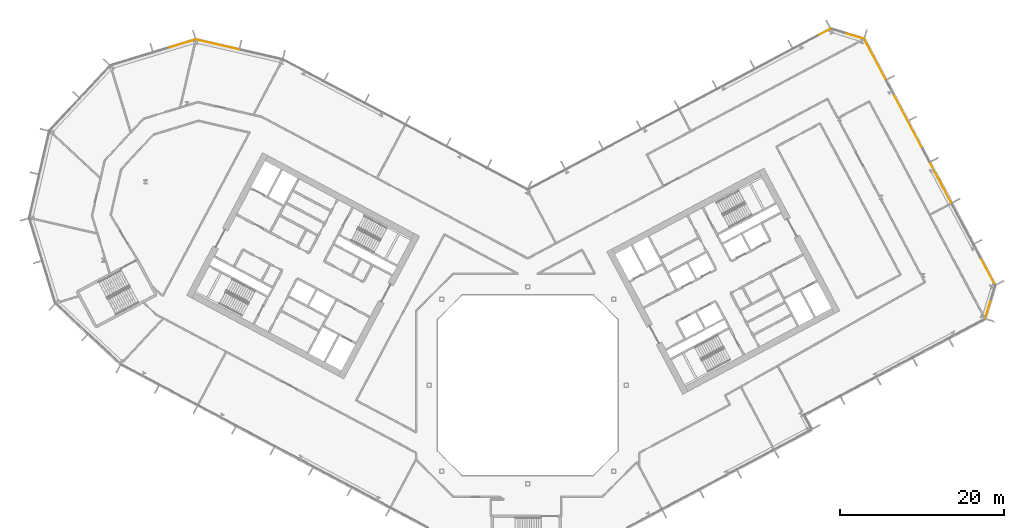
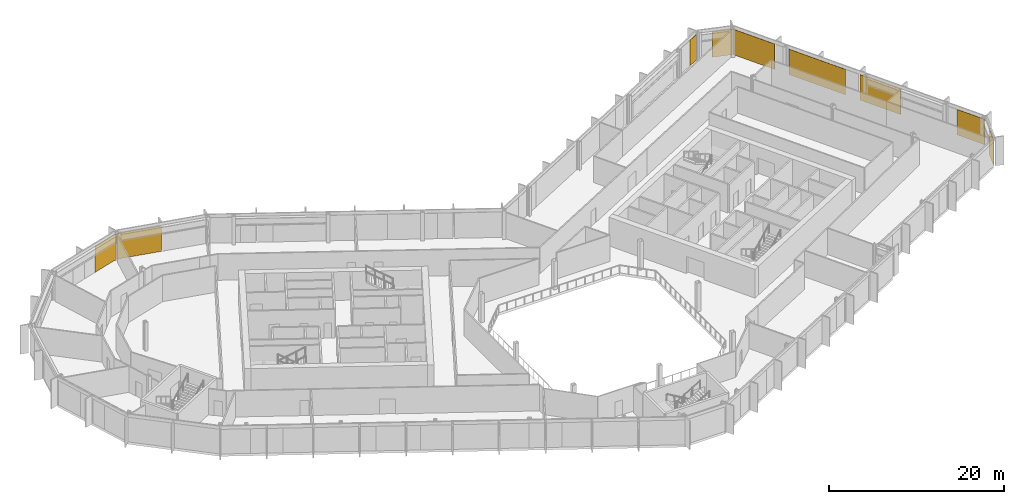
# One storey, part 28 of 28: 9 coverings, 6 elements without a shape of their own.
"""IFC4 building model written with IfcOpenShell, lengths in metres."""

from ifc_helpers import new_model, si_unit, direction, frame, origin, origin_2d, place, context, subcontext, project, spatial, rectangle, extrude, material, layer, layer_set, type_object, element, aggregate, save


model = new_model("IFC4")

# Units and contexts
model_context = context("Model", 3, precision=1e-05, world=origin(), true_north=direction((0.0, 1.0)))
body_context = subcontext(model_context, "Body", "Model", "MODEL_VIEW")
ifc_project = project(units=[si_unit("LENGTHUNIT", "METRE"), si_unit("AREAUNIT", "SQUARE_METRE"), si_unit("VOLUMEUNIT", "CUBIC_METRE"), si_unit("PLANEANGLEUNIT", "RADIAN"), si_unit("MASSUNIT", "GRAM", prefix="KILO")], contexts=[model_context])

# Site, building, storey
site_placement = place(None, origin())
site = spatial("IfcSite", under=ifc_project, at=site_placement, CompositionType="ELEMENT")
building_placement = place(site_placement, origin())
building = spatial("IfcBuilding", under=site, at=building_placement, Name="Cormorant Relay Tower", CompositionType="ELEMENT")
storey_placement = place(building_placement, frame((0.0, 0.0, 146.199951171875)))
storey = spatial("IfcBuildingStorey", under=building, at=storey_placement, Name="L30", CompositionType="ELEMENT", Elevation=146.199951171875)

# Curtain wall, covering
ifc_material_1 = material(Name="Aluminium 6063-T6 anodised bronze", Category="aluminium")
ifc_layer_1 = layer(ifc_material_1, 0.199951171875)
ifc_layer_set_1 = layer_set([ifc_layer_1], Name="CW1 unitised bronze curtain wall with vertical fins")
curtain_wall_type = type_object("IfcCurtainWallType", Name="CW1 unitised bronze curtain wall with vertical fins", PredefinedType="NOTDEFINED", material=ifc_layer_set_1)
curtain_wall_1_placement = place(storey_placement, origin())
curtain_wall_1 = element("IfcCurtainWall", 1, at=curtain_wall_1_placement, inside=storey, type_object=curtain_wall_type, Name="CW1 curtain wall 5", PredefinedType="NOTDEFINED")
ifc_material_2 = material(Name="Pale bronze anodised aluminium insulated panel", Category="aluminium")
ifc_layer_2 = layer(ifc_material_2, 0.0400390625)
ifc_layer_set_2 = layer_set([ifc_layer_2], Name="CW1 pale bronze insulated panel 40")
covering_type = type_object("IfcCoveringType", Name="CW1 pale bronze insulated panel 40", PredefinedType="CLADDING", material=ifc_layer_set_2)
covering_1_placement = place(storey_placement, frame((56.103515625, 9.303955078125, 0.0), z_axis=(0.0, 0.0, 1.0), x_axis=(0.292371704723, 0.956304755963, 0.0)))
covering_1 = element("IfcCovering", 2, at=covering_1_placement, type_object=covering_type, Name="CW1 panel S00", PredefinedType="CLADDING", context=body_context, shape_type="SweptSolid", body=[
    extrude(rectangle(XDim=2.36767578125, YDim=0.0400390625, at=origin_2d()), origin(), (0.0, 0.0, 1.0), 3.550048828125),
])
aggregate(curtain_wall_1, [covering_1])

# Curtain wall, coverings
curtain_wall_2_placement = place(storey_placement, origin())
curtain_wall_2 = element("IfcCurtainWall", 3, at=curtain_wall_2_placement, inside=storey, type_object=curtain_wall_type, Name="CW1 curtain wall 6", PredefinedType="NOTDEFINED")
covering_2_placement = place(storey_placement, frame((56.066650390625, 13.879638671875, 0.0), z_axis=(0.0, 0.0, 1.0), x_axis=(-0.469471562786, 0.882947592859, 0.0)))
covering_2 = element("IfcCovering", 4, at=covering_2_placement, type_object=covering_type, Name="CW1 panel S00", PredefinedType="CLADDING", context=body_context, shape_type="SweptSolid", body=[
    extrude(rectangle(XDim=3.716796875, YDim=0.0400390625, at=origin_2d()), origin(), (0.0, 0.0, 1.0), 3.550048828125),
])
covering_3_placement = place(storey_placement, frame((50.323486328125, 24.68115234375, 0.0), z_axis=(0.0, 0.0, 1.0), x_axis=(-0.469471562786, 0.882947592859, 0.0)))
covering_3 = element("IfcCovering", 5, at=covering_3_placement, type_object=covering_type, Name="CW1 panel S03", PredefinedType="CLADDING", context=body_context, shape_type="SweptSolid", body=[
    extrude(rectangle(XDim=5.5166015625, YDim=0.0400390625, at=origin_2d()), origin(), (0.0, 0.0, 1.0), 3.550048828125),
])
covering_4_placement = place(storey_placement, frame((46.3330078125, 32.18603515625, 0.0), z_axis=(0.0, 0.0, 1.0), x_axis=(-0.469471562786, 0.882947592859, 0.0)))
covering_4 = element("IfcCovering", 6, at=covering_4_placement, type_object=covering_type, Name="CW1 panel S05", PredefinedType="CLADDING", context=body_context, shape_type="SweptSolid", body=[
    extrude(rectangle(XDim=7.583251953125, YDim=0.0400390625, at=origin_2d()), origin(), (0.0, 0.0, 1.0), 3.550048828125),
])
covering_5_placement = place(storey_placement, frame((42.32470703125, 39.724365234375, 0.0), z_axis=(0.0, 0.0, 1.0), x_axis=(-0.469471562786, 0.882947592859, 0.0)))
covering_5 = element("IfcCovering", 7, at=covering_5_placement, type_object=covering_type, Name="CW1 panel S07", PredefinedType="CLADDING", context=body_context, shape_type="SweptSolid", body=[
    extrude(rectangle(XDim=5.591796875, YDim=0.0400390625, at=origin_2d()), origin(), (0.0, 0.0, 1.0), 3.550048828125),
])
aggregate(curtain_wall_2, [covering_2, covering_3, covering_4, covering_5])

# Curtain wall, covering
curtain_wall_3_placement = place(storey_placement, origin())
curtain_wall_3 = element("IfcCurtainWall", 8, at=curtain_wall_3_placement, inside=storey, type_object=curtain_wall_type, Name="CW1 curtain wall 7", PredefinedType="NOTDEFINED")
covering_6_placement = place(storey_placement, frame((39.796630859375, 42.570556640625, 0.0), z_axis=(0.0, 0.0, 1.0), x_axis=(-0.956304755963, 0.292371704723, 0.0)))
covering_6 = element("IfcCovering", 9, at=covering_6_placement, type_object=covering_type, Name="CW1 panel S00", PredefinedType="CLADDING", context=body_context, shape_type="SweptSolid", body=[
    extrude(rectangle(XDim=2.36767578125, YDim=0.0400390625, at=origin_2d()), origin(), (0.0, 0.0, 1.0), 3.550048828125),
])
aggregate(curtain_wall_3, [covering_6])

curtain_wall_4_placement = place(storey_placement, origin())
curtain_wall_4 = element("IfcCurtainWall", 10, at=curtain_wall_4_placement, inside=storey, type_object=curtain_wall_type, Name="CW1 curtain wall 8", PredefinedType="NOTDEFINED")
covering_7_placement = place(storey_placement, frame((36.208740234375, 43.05908203125, 0.0), z_axis=(0.0, 0.0, 1.0), x_axis=(-0.882947592859, -0.469471562786, 0.0)))
covering_7 = element("IfcCovering", 11, at=covering_7_placement, type_object=covering_type, Name="CW1 panel S00", PredefinedType="CLADDING", context=body_context, shape_type="SweptSolid", body=[
    extrude(rectangle(XDim=1.479248046875, YDim=0.0400390625, at=origin_2d()), origin(), (0.0, 0.0, 1.0), 3.550048828125),
])
aggregate(curtain_wall_4, [covering_7])

curtain_wall_5_placement = place(storey_placement, origin())
curtain_wall_5 = element("IfcCurtainWall", 12, at=curtain_wall_5_placement, inside=storey, type_object=curtain_wall_type, Name="CW1 curtain wall 10", PredefinedType="NOTDEFINED")
covering_8_placement = place(storey_placement, frame((-37.849609375, 41.530029296875, 0.0), z_axis=(0.0, 0.0, 1.0), x_axis=(-0.974370064785, 0.224951054344, 0.0)))
covering_8 = element("IfcCovering", 13, at=covering_8_placement, type_object=covering_type, Name="CW1 panel S01", PredefinedType="CLADDING", context=body_context, shape_type="SweptSolid", body=[
    extrude(rectangle(XDim=5.360107421875, YDim=0.0400390625, at=origin_2d()), origin(), (0.0, 0.0, 1.0), 3.550048828125),
])
aggregate(curtain_wall_5, [covering_8])

curtain_wall_6_placement = place(storey_placement, origin())
curtain_wall_6 = element("IfcCurtainWall", 14, at=curtain_wall_6_placement, inside=storey, type_object=curtain_wall_type, Name="CW1 curtain wall 11", PredefinedType="NOTDEFINED")
covering_9_placement = place(storey_placement, frame((-42.209716796875, 41.60107421875, 0.0), z_axis=(0.0, 0.0, 1.0), x_axis=(-0.956304755963, -0.292371704723, 0.0)))
covering_9 = element("IfcCovering", 15, at=covering_9_placement, type_object=covering_type, Name="CW1 panel S00", PredefinedType="CLADDING", context=body_context, shape_type="SweptSolid", body=[
    extrude(rectangle(XDim=3.485107421875, YDim=0.0400390625, at=origin_2d()), origin(), (0.0, 0.0, 1.0), 3.550048828125),
])
aggregate(curtain_wall_6, [covering_9])

save(model, "model.ifc")
